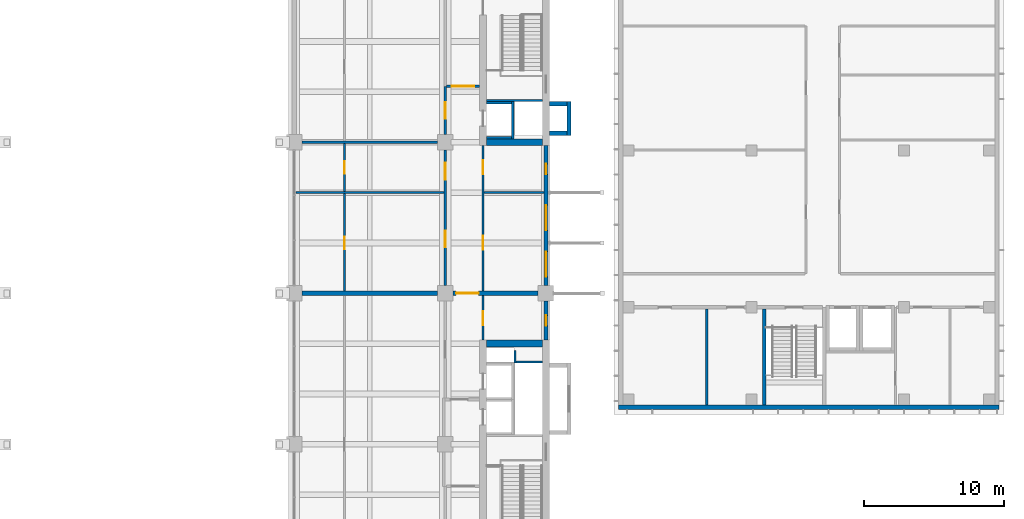
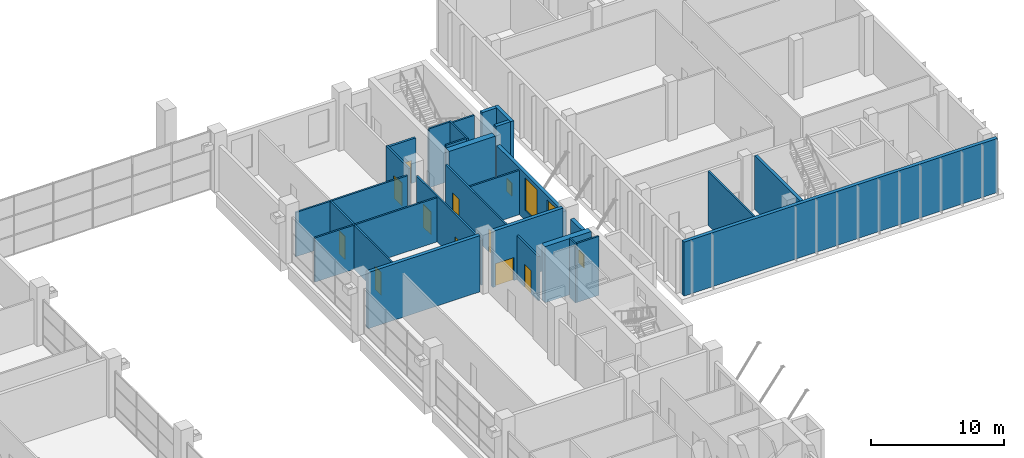
# One storey, part 22 of 38: 28 walls, 10 doors, 4 windows, 14 openings.
"""IFC4 building model written with IfcOpenShell, lengths in metres."""

from ifc_helpers import new_model, si_unit, direction, frame, frame_2d, origin, place, context, subcontext, project, spatial, rectangle, extrude, material, layer, layer_set, type_object, element, fill, save


model = new_model("IFC4")

# Units and contexts
model_context = context("Model", 3, precision=1e-05, world=origin(), true_north=direction((0.0, 1.0)))
body_context = subcontext(model_context, "Body", "Model", "MODEL_VIEW")
ifc_project = project(units=[si_unit("LENGTHUNIT", "METRE"), si_unit("AREAUNIT", "SQUARE_METRE"), si_unit("VOLUMEUNIT", "CUBIC_METRE"), si_unit("PLANEANGLEUNIT", "RADIAN"), si_unit("MASSUNIT", "GRAM", prefix="KILO")], contexts=[model_context])

# Site, building, storey
site_placement = place(None, origin())
site = spatial("IfcSite", under=ifc_project, at=site_placement, CompositionType="ELEMENT")
building_placement = place(site_placement, origin())
building = spatial("IfcBuilding", under=site, at=building_placement, Name="Basin Gate Institute", CompositionType="ELEMENT")
storey_placement = place(building_placement, frame((0.0, 0.0, 16.800048828125)))
storey = spatial("IfcBuildingStorey", under=building, at=storey_placement, Name="L03", CompositionType="ELEMENT", Elevation=16.800048828125)

# Walls
ifc_material_1 = material(Name="Concrete 40 MPa", Category="concrete")
ifc_layer_1 = layer(ifc_material_1, 0.25)
ifc_layer_set_1 = layer_set([ifc_layer_1], Name="Concrete 40 MPa")
wall_type_1 = type_object("IfcWallType", Name="Block enclosure wall W73 REI 120", PredefinedType="SOLIDWALL", material=ifc_layer_set_1)
wall_1_placement = place(storey_placement, frame((134.39990234375, 70.300048828125, 0.0), z_axis=(0.0, 0.0, 1.0), x_axis=(0.0, 1.0, 0.0)))
element("IfcWall", 1, at=wall_1_placement, inside=storey, type_object=wall_type_1, material=ifc_layer_set_1, Name="Stair and lift enclosure wall Cy13440-13 L03", PredefinedType="SOLIDWALL", context=body_context, shape_type="SweptSolid", body=[
    extrude(rectangle(XDim=6.875, YDim=0.25, at=frame_2d((3.4375, 0.0))), origin(), (0.0, 0.0, 1.0), 4.949951171875),
])
ifc_material_2 = material(Name="Insulated sandwich panel, mineral wool core, galvanised sheet faces")
ifc_layer_2 = layer(ifc_material_2, 0.300048828125)
ifc_layer_set_2 = layer_set([ifc_layer_2], Name="Clean block insulated panel wall W80 EI 60")
wall_type_2 = type_object("IfcWallType", Name="Clean block insulated panel wall W80 EI 60", PredefinedType="SOLIDWALL", material=ifc_layer_set_2)
wall_2_placement = place(storey_placement, frame((124.0, 70.14990234375, 0.0), z_axis=(0.0, 0.0, 1.0), x_axis=(1.0, 0.0, 0.0)))
element("IfcWall", 2, at=wall_2_placement, inside=storey, type_object=wall_type_2, material=ifc_layer_set_2, Name="Clean block insulated panel wall south L03", PredefinedType="SOLIDWALL", context=body_context, shape_type="SweptSolid", body=[
    extrude(rectangle(XDim=27.199951171875, YDim=0.300048828125, at=frame_2d((13.60009765625, 0.0))), origin(), (0.0, 0.0, 1.0), 4.949951171875),
])
ifc_material_3 = material(Name="Gypsum board partition on steel studs, 60 minute", Category="steel")
ifc_layer_3 = layer(ifc_material_3, 0.14990234375)
ifc_layer_set_3 = layer_set([ifc_layer_3], Name="Gypsum board partition on steel studs, 60 minute")
wall_type_3 = type_object("IfcWallType", Name="Clean block partition PW72 EI 60", PredefinedType="SOLIDWALL", material=ifc_layer_set_3)
wall_3_placement = place(storey_placement, frame((130.300048828125, 70.300048828125, 0.0), z_axis=(0.0, 0.0, 1.0), x_axis=(0.0, 1.0, 0.0)))
element("IfcWall", 3, at=wall_3_placement, inside=storey, type_object=wall_type_3, material=ifc_layer_set_3, Name="Clean block partition Cy13030-11 L03", PredefinedType="SOLIDWALL", context=body_context, shape_type="SweptSolid", body=[
    extrude(rectangle(XDim=6.875, YDim=0.14990234375, at=frame_2d((3.4375, 0.0))), origin(), (0.0, 0.0, 1.0), 4.949951171875),
])

# Wall, opening, door
ifc_material_4 = material(Name="Fire-rated masonry", Category="masonry")
ifc_layer_4 = layer(ifc_material_4, 0.199951171875)
ifc_layer_set_4 = layer_set([ifc_layer_4], Name="Enclosure wall PW2 200 EI 60")
wall_type_4 = type_object("IfcWallType", Name="Enclosure wall PW2 200 EI 60", PredefinedType="PARTITIONING", material=ifc_layer_set_4)
wall_4_placement = place(storey_placement, frame((114.050048828125, 93.10009765625, 0.0), z_axis=(0.0, 0.0, 1.0), x_axis=(-1.0, 0.0, 0.0)))
wall_4 = element("IfcWall", 4, at=wall_4_placement, inside=storey, type_object=wall_type_4, material=ifc_layer_set_4, Name="Smoke lobby enclosure wall PW2 L03", PredefinedType="PARTITIONING", context=body_context, shape_type="SweptSolid", body=[
    extrude(rectangle(XDim=2.35009765625, YDim=0.199951171875, at=frame_2d((1.175048828125, 0.0))), origin(), (0.0, 0.0, 1.0), 4.050048828125),
])
opening_1_placement = place(wall_4_placement, frame((0.375, 0.0, 0.0)))
opening_1 = element("IfcOpeningElement", 5, at=opening_1_placement, cuts=wall_4, Name="Opening DR173", PredefinedType="OPENING", context=body_context, shape_type="SweptSolid", body=[
    extrude(rectangle(XDim=1.60009765625, YDim=2.10009765625, at=frame_2d((0.800048828125, 1.050048828125))), frame((0.0, 0.10986328125, 0.0), z_axis=(0.0, -1.0, 0.0), x_axis=(1.0, 0.0, 0.0)), (0.0, 0.0, 1.0), 0.219970703125),
])
ifc_material_5 = material(Name="Steel fire door", Category="steel")
door_type_1 = type_object("IfcDoorType", Name="FD60 Smoke lobby door pair D8", OperationType="DOUBLE_DOOR_SINGLE_SWING", PredefinedType="DOOR", material=ifc_material_5)
door_1_placement = place(opening_1_placement, frame((1.60009765625, 0.0, 0.0), z_axis=(0.0, 0.0, 1.0), x_axis=(-1.0, 0.0, 0.0)))
door_1 = element("IfcDoor", 6, at=door_1_placement, inside=storey, type_object=door_type_1, material=ifc_material_5, Name="Smoke lobby door SS6 L03", OperationType="DOUBLE_DOOR_SINGLE_SWING", OverallHeight=2.10009765625, OverallWidth=1.60009765625, PredefinedType="DOOR", context=body_context, shape_type="SweptSolid", body=[
    extrude(rectangle(XDim=1.60009765625, YDim=2.10009765625, at=frame_2d((0.800048828125, 1.050048828125))), frame((0.0, 0.02490234375, 0.0), z_axis=(0.0, -1.0, 0.0), x_axis=(1.0, 0.0, 0.0)), (0.0, 0.0, 1.0), 0.050048828125),
])
fill(opening_1, door_1)

# Wall, opening, window
ifc_material_6 = material(Name="Aluminium-faced insulated panel wall", Category="aluminium")
ifc_layer_5 = layer(ifc_material_6, 0.300048828125)
ifc_layer_set_5 = layer_set([ifc_layer_5], Name="External wall EW1 EI 120")
wall_type_5 = type_object("IfcWallType", Name="External wall EW1 EI 120", PredefinedType="STANDARD", material=ifc_layer_set_5)
wall_5_placement = place(storey_placement, frame((118.800048828125, 74.949951171875, 0.0), z_axis=(0.0, 0.0, 1.0), x_axis=(0.0, 1.0, 0.0)))
wall_5 = element("IfcWall", 7, at=wall_5_placement, inside=storey, type_object=wall_type_5, material=ifc_layer_set_5, Name="External wall E facade L03 3", PredefinedType="STANDARD", context=body_context, shape_type="SweptSolid", body=[
    extrude(rectangle(XDim=2.800048828125, YDim=0.300048828125, at=frame_2d((1.39990234375, 0.0))), origin(), (0.0, 0.0, 1.0), 4.25),
])
opening_2_placement = place(wall_5_placement, frame((1.02490234375, 0.0, 0.800048828125)))
opening_2 = element("IfcOpeningElement", 8, at=opening_2_placement, cuts=wall_5, Name="Opening WN3", PredefinedType="OPENING", context=body_context, shape_type="SweptSolid", body=[
    extrude(rectangle(XDim=0.75, YDim=1.199951171875, at=frame_2d((0.375, 0.60009765625))), frame((0.0, 0.16015625, 0.0), z_axis=(0.0, -1.0, 0.0), x_axis=(1.0, 0.0, 0.0)), (0.0, 0.0, 1.0), 0.320068359375),
])
ifc_material_7 = material(Name="Aluminium-framed double glazing", Category="aluminium")
window_type_1 = type_object("IfcWindowType", Name="Emergency entry panel WN3", PartitioningType="SINGLE_PANEL", PredefinedType="WINDOW", material=ifc_material_7)
window_1_placement = place(opening_2_placement, origin())
window_1 = element("IfcWindow", 9, at=window_1_placement, inside=storey, type_object=window_type_1, material=ifc_material_7, Name="Emergency entry panel E facade L03 bay 12", OverallHeight=1.199951171875, OverallWidth=0.75, PartitioningType="SINGLE_PANEL", PredefinedType="WINDOW", context=body_context, shape_type="SweptSolid", body=[
    extrude(rectangle(XDim=0.75, YDim=1.199951171875, at=frame_2d((0.375, 0.60009765625))), frame((0.0, 0.030029296875, 0.0), z_axis=(0.0, -1.0, 0.0), x_axis=(1.0, 0.0, 0.0)), (0.0, 0.0, 1.0), 0.06005859375),
])
fill(opening_2, window_1)

# Wall, openings, windows
wall_6_placement = place(storey_placement, frame((118.800048828125, 78.85009765625, 0.0), z_axis=(0.0, 0.0, 1.0), x_axis=(0.0, 1.0, 0.0)))
wall_6 = element("IfcWall", 10, at=wall_6_placement, inside=storey, type_object=wall_type_5, material=ifc_layer_set_5, Name="External wall E facade L03 4", PredefinedType="STANDARD", context=body_context, shape_type="SweptSolid", body=[
    extrude(rectangle(XDim=10.0, YDim=0.300048828125, at=frame_2d((5.0, 0.0))), origin(), (0.0, 0.0, 1.0), 4.25),
])
opening_3_placement = place(wall_6_placement, frame((0.625, 0.0, 0.89990234375)))
opening_3 = element("IfcOpeningElement", 11, at=opening_3_placement, cuts=wall_6, Name="Opening WN2", PredefinedType="OPENING", context=body_context, shape_type="SweptSolid", body=[
    extrude(rectangle(XDim=1.800048828125, YDim=3.0, at=frame_2d((0.89990234375, 1.5))), frame((0.0, 0.16015625, 0.0), z_axis=(0.0, -1.0, 0.0), x_axis=(1.0, 0.0, 0.0)), (0.0, 0.0, 1.0), 0.320068359375),
])
opening_4_placement = place(wall_6_placement, frame((3.949951171875, 0.0, 0.89990234375)))
opening_4 = element("IfcOpeningElement", 12, at=opening_4_placement, cuts=wall_6, Name="Opening WN2", PredefinedType="OPENING", context=body_context, shape_type="SweptSolid", body=[
    extrude(rectangle(XDim=1.800048828125, YDim=3.0, at=frame_2d((0.89990234375, 1.5))), frame((0.0, 0.16015625, 0.0), z_axis=(0.0, -1.0, 0.0), x_axis=(1.0, 0.0, 0.0)), (0.0, 0.0, 1.0), 0.320068359375),
])
opening_5_placement = place(wall_6_placement, frame((7.949951171875, 0.0, 0.800048828125)))
opening_5 = element("IfcOpeningElement", 13, at=opening_5_placement, cuts=wall_6, Name="Opening WN3", PredefinedType="OPENING", context=body_context, shape_type="SweptSolid", body=[
    extrude(rectangle(XDim=0.75, YDim=1.199951171875, at=frame_2d((0.375, 0.60009765625))), frame((0.0, 0.16015625, 0.0), z_axis=(0.0, -1.0, 0.0), x_axis=(1.0, 0.0, 0.0)), (0.0, 0.0, 1.0), 0.320068359375),
])
window_2_placement = place(opening_5_placement, origin())
window_2 = element("IfcWindow", 14, at=window_2_placement, inside=storey, type_object=window_type_1, material=ifc_material_7, Name="Emergency entry panel E facade L03 bay 15", OverallHeight=1.199951171875, OverallWidth=0.75, PartitioningType="SINGLE_PANEL", PredefinedType="WINDOW", context=body_context, shape_type="SweptSolid", body=[
    extrude(rectangle(XDim=0.75, YDim=1.199951171875, at=frame_2d((0.375, 0.60009765625))), frame((0.0, 0.030029296875, 0.0), z_axis=(0.0, -1.0, 0.0), x_axis=(1.0, 0.0, 0.0)), (0.0, 0.0, 1.0), 0.06005859375),
])
fill(opening_5, window_2)
ifc_material_8 = material(Name="Aluminium-framed double glazing", Category="aluminium")
window_type_2 = type_object("IfcWindowType", Name="Podium window WN2", PartitioningType="SINGLE_PANEL", PredefinedType="WINDOW", material=ifc_material_8)
window_3_placement = place(opening_3_placement, origin())
window_3 = element("IfcWindow", 15, at=window_3_placement, inside=storey, type_object=window_type_2, material=ifc_material_8, Name="Podium window E facade L03 bay 13", OverallHeight=3.0, OverallWidth=1.800048828125, PartitioningType="SINGLE_PANEL", PredefinedType="WINDOW", context=body_context, shape_type="SweptSolid", body=[
    extrude(rectangle(XDim=1.800048828125, YDim=3.0, at=frame_2d((0.89990234375, 1.5))), frame((0.0, 0.030029296875, 0.0), z_axis=(0.0, -1.0, 0.0), x_axis=(1.0, 0.0, 0.0)), (0.0, 0.0, 1.0), 0.06005859375),
])
fill(opening_3, window_3)
window_4_placement = place(opening_4_placement, origin())
window_4 = element("IfcWindow", 16, at=window_4_placement, inside=storey, type_object=window_type_2, material=ifc_material_8, Name="Podium window E facade L03 bay 14", OverallHeight=3.0, OverallWidth=1.800048828125, PartitioningType="SINGLE_PANEL", PredefinedType="WINDOW", context=body_context, shape_type="SweptSolid", body=[
    extrude(rectangle(XDim=1.800048828125, YDim=3.0, at=frame_2d((0.89990234375, 1.5))), frame((0.0, 0.030029296875, 0.0), z_axis=(0.0, -1.0, 0.0), x_axis=(1.0, 0.0, 0.0)), (0.0, 0.0, 1.0), 0.06005859375),
])
fill(opening_4, window_4)

# Wall, opening, door
ifc_material_9 = material(Name="Gypsum board on steel stud", Category="steel")
ifc_layer_6 = layer(ifc_material_9, 0.14990234375)
ifc_layer_set_6 = layer_set([ifc_layer_6], Name="Gypsum board on steel stud")
wall_type_6 = type_object("IfcWallType", Name="Partition PW1 150 EI 60", PredefinedType="PARTITIONING", material=ifc_layer_set_6)
wall_7_placement = place(storey_placement, frame((114.300048828125, 74.949951171875, 0.0), z_axis=(0.0, 0.0, 1.0), x_axis=(0.0, 1.0, 0.0)))
wall_7 = element("IfcWall", 17, at=wall_7_placement, inside=storey, type_object=wall_type_6, material=ifc_layer_set_6, Name="Corridor wall PW1 L03", PredefinedType="PARTITIONING", context=body_context, shape_type="SweptSolid", body=[
    extrude(rectangle(XDim=3.199951171875, YDim=0.14990234375, at=frame_2d((1.60009765625, 0.0))), origin(), (0.0, 0.0, 1.0), 4.050048828125),
])
opening_6_placement = place(wall_7_placement, frame((1.050048828125, 0.0, 0.0)))
opening_6 = element("IfcOpeningElement", 18, at=opening_6_placement, cuts=wall_7, Name="Opening DR160", PredefinedType="OPENING", context=body_context, shape_type="SweptSolid", body=[
    extrude(rectangle(XDim=1.0, YDim=2.10009765625, at=frame_2d((0.5, 1.050048828125))), frame((0.0, 0.0849609375, 0.0), z_axis=(0.0, -1.0, 0.0), x_axis=(1.0, 0.0, 0.0)), (0.0, 0.0, 1.0), 0.169921875),
])
ifc_material_10 = material(Name="Timber fire door", Category="wood")
door_type_2 = type_object("IfcDoorType", Name="FD30 Office door D1", OperationType="NOTDEFINED", PredefinedType="DOOR", material=ifc_material_10)
door_2_placement = place(opening_6_placement, frame((1.0, 0.0, 0.0), z_axis=(0.0, 0.0, 1.0), x_axis=(-1.0, 0.0, 0.0)))
door_2 = element("IfcDoor", 19, at=door_2_placement, inside=storey, type_object=door_type_2, material=ifc_material_10, Name="Door to Mechanical Plant Room 0355 L03", OperationType="SINGLE_SWING_RIGHT", OverallHeight=2.10009765625, OverallWidth=1.0, PredefinedType="DOOR", context=body_context, shape_type="SweptSolid", body=[
    extrude(rectangle(XDim=1.0, YDim=2.10009765625, at=frame_2d((0.5, 1.050048828125))), frame((0.0, 0.02490234375, 0.0), z_axis=(0.0, -1.0, 0.0), x_axis=(1.0, 0.0, 0.0)), (0.0, 0.0, 1.0), 0.050048828125),
])
fill(opening_6, door_2)

# Wall, openings, doors
wall_8_placement = place(storey_placement, frame((114.300048828125, 78.449951171875, 0.0), z_axis=(0.0, 0.0, 1.0), x_axis=(0.0, 1.0, 0.0)))
wall_8 = element("IfcWall", 20, at=wall_8_placement, inside=storey, type_object=wall_type_6, material=ifc_layer_set_6, Name="Corridor wall PW1 L03", PredefinedType="PARTITIONING", context=body_context, shape_type="SweptSolid", body=[
    extrude(rectangle(XDim=10.400146484375, YDim=0.14990234375, at=frame_2d((5.2001953125, 0.0))), origin(), (0.0, 0.0, 1.0), 4.050048828125),
])
opening_7_placement = place(wall_8_placement, frame((8.35009765625, 0.0, 0.0)))
opening_7 = element("IfcOpeningElement", 21, at=opening_7_placement, cuts=wall_8, Name="Opening DR156", PredefinedType="OPENING", context=body_context, shape_type="SweptSolid", body=[
    extrude(rectangle(XDim=1.0, YDim=2.10009765625, at=frame_2d((0.5, 1.050048828125))), frame((0.0, 0.0849609375, 0.0), z_axis=(0.0, -1.0, 0.0), x_axis=(1.0, 0.0, 0.0)), (0.0, 0.0, 1.0), 0.169921875),
])
opening_8_placement = place(wall_8_placement, frame((2.949951171875, 0.0, 0.0)))
opening_8 = element("IfcOpeningElement", 22, at=opening_8_placement, cuts=wall_8, Name="Opening DR161", PredefinedType="OPENING", context=body_context, shape_type="SweptSolid", body=[
    extrude(rectangle(XDim=1.0, YDim=2.10009765625, at=frame_2d((0.5, 1.050048828125))), frame((0.0, 0.0849609375, 0.0), z_axis=(0.0, -1.0, 0.0), x_axis=(1.0, 0.0, 0.0)), (0.0, 0.0, 1.0), 0.169921875),
])
door_3_placement = place(opening_8_placement, frame((1.0, 0.0, 0.0), z_axis=(0.0, 0.0, 1.0), x_axis=(-1.0, 0.0, 0.0)))
door_3 = element("IfcDoor", 23, at=door_3_placement, inside=storey, type_object=door_type_2, material=ifc_material_10, Name="Door to Mechanical Plant Room 0356 L03", OperationType="SINGLE_SWING_RIGHT", OverallHeight=2.10009765625, OverallWidth=1.0, PredefinedType="DOOR", context=body_context, shape_type="SweptSolid", body=[
    extrude(rectangle(XDim=1.0, YDim=2.10009765625, at=frame_2d((0.5, 1.050048828125))), frame((0.0, 0.02490234375, 0.0), z_axis=(0.0, -1.0, 0.0), x_axis=(1.0, 0.0, 0.0)), (0.0, 0.0, 1.0), 0.050048828125),
])
fill(opening_8, door_3)
ifc_material_11 = material(Name="Timber fire door", Category="wood")
door_type_3 = type_object("IfcDoorType", Name="FD30 Toilet door D3", OperationType="NOTDEFINED", PredefinedType="DOOR", material=ifc_material_11)
door_4_placement = place(opening_7_placement, frame((1.0, 0.0, 0.0), z_axis=(0.0, 0.0, 1.0), x_axis=(-1.0, 0.0, 0.0)))
door_4 = element("IfcDoor", 24, at=door_4_placement, inside=storey, type_object=door_type_3, material=ifc_material_11, Name="Door to Female WC L03", OperationType="SINGLE_SWING_LEFT", OverallHeight=2.10009765625, OverallWidth=1.0, PredefinedType="DOOR", context=body_context, shape_type="SweptSolid", body=[
    extrude(rectangle(XDim=1.0, YDim=2.10009765625, at=frame_2d((0.5, 1.050048828125))), frame((0.0, 0.02490234375, 0.0), z_axis=(0.0, -1.0, 0.0), x_axis=(1.0, 0.0, 0.0)), (0.0, 0.0, 1.0), 0.050048828125),
])
fill(opening_7, door_4)

wall_9_placement = place(storey_placement, frame((111.60009765625, 78.85009765625, 0.0), z_axis=(0.0, 0.0, 1.0), x_axis=(0.0, 1.0, 0.0)))
wall_9 = element("IfcWall", 25, at=wall_9_placement, inside=storey, type_object=wall_type_6, material=ifc_layer_set_6, Name="Laboratory corridor wall PW1 L03", PredefinedType="PARTITIONING", context=body_context, shape_type="SweptSolid", body=[
    extrude(rectangle(XDim=9.699951171875, YDim=0.14990234375, at=frame_2d((4.85009765625, 0.0))), origin(), (0.0, 0.0, 1.0), 4.14990234375),
])
opening_9_placement = place(wall_9_placement, frame((2.72509765625, 0.0, 0.0)))
opening_9 = element("IfcOpeningElement", 26, at=opening_9_placement, cuts=wall_9, Name="Opening DR149", PredefinedType="OPENING", context=body_context, shape_type="SweptSolid", body=[
    extrude(rectangle(XDim=1.199951171875, YDim=2.10009765625, at=frame_2d((0.60009765625, 1.050048828125))), frame((0.0, 0.0849609375, 0.0), z_axis=(0.0, -1.0, 0.0), x_axis=(1.0, 0.0, 0.0)), (0.0, 0.0, 1.0), 0.169921875),
])
opening_10_placement = place(wall_9_placement, frame((7.574951171875, 0.0, 0.0)))
opening_10 = element("IfcOpeningElement", 27, at=opening_10_placement, cuts=wall_9, Name="Opening DR155", PredefinedType="OPENING", context=body_context, shape_type="SweptSolid", body=[
    extrude(rectangle(XDim=1.199951171875, YDim=2.10009765625, at=frame_2d((0.60009765625, 1.050048828125))), frame((0.0, 0.0849609375, 0.0), z_axis=(0.0, -1.0, 0.0), x_axis=(1.0, 0.0, 0.0)), (0.0, 0.0, 1.0), 0.169921875),
])
ifc_material_12 = material(Name="Timber fire door", Category="wood")
door_type_4 = type_object("IfcDoorType", Name="FD30 Laboratory door D2", OperationType="DOUBLE_DOOR_SINGLE_SWING", PredefinedType="DOOR", material=ifc_material_12)
door_5_placement = place(opening_9_placement, origin())
door_5 = element("IfcDoor", 28, at=door_5_placement, inside=storey, type_object=door_type_4, material=ifc_material_12, Name="Door to Air Handling Plant Room 0374 L03", OperationType="DOUBLE_DOOR_SINGLE_SWING", OverallHeight=2.10009765625, OverallWidth=1.199951171875, PredefinedType="DOOR", context=body_context, shape_type="SweptSolid", body=[
    extrude(rectangle(XDim=1.199951171875, YDim=2.10009765625, at=frame_2d((0.60009765625, 1.050048828125))), frame((0.0, 0.02490234375, 0.0), z_axis=(0.0, -1.0, 0.0), x_axis=(1.0, 0.0, 0.0)), (0.0, 0.0, 1.0), 0.050048828125),
])
fill(opening_9, door_5)
door_6_placement = place(opening_10_placement, origin())
door_6 = element("IfcDoor", 29, at=door_6_placement, inside=storey, type_object=door_type_4, material=ifc_material_12, Name="Door to Exhaust Fan Room 0376 L03", OperationType="DOUBLE_DOOR_SINGLE_SWING", OverallHeight=2.10009765625, OverallWidth=1.199951171875, PredefinedType="DOOR", context=body_context, shape_type="SweptSolid", body=[
    extrude(rectangle(XDim=1.199951171875, YDim=2.10009765625, at=frame_2d((0.60009765625, 1.050048828125))), frame((0.0, 0.02490234375, 0.0), z_axis=(0.0, -1.0, 0.0), x_axis=(1.0, 0.0, 0.0)), (0.0, 0.0, 1.0), 0.050048828125),
])
fill(opening_10, door_6)

# Wall, opening, door
wall_10_placement = place(storey_placement, frame((111.60009765625, 89.64990234375, 0.0), z_axis=(0.0, 0.0, 1.0), x_axis=(0.0, 1.0, 0.0)))
wall_10 = element("IfcWall", 30, at=wall_10_placement, inside=storey, type_object=wall_type_6, material=ifc_layer_set_6, Name="Laboratory corridor wall PW1 L03", PredefinedType="PARTITIONING", context=body_context, shape_type="SweptSolid", body=[
    extrude(rectangle(XDim=3.4501953125, YDim=0.14990234375, at=frame_2d((1.72509765625, 0.0))), origin(), (0.0, 0.0, 1.0), 4.14990234375),
])
opening_11_placement = place(wall_10_placement, frame((1.125, 0.0, 0.0)))
opening_11 = element("IfcOpeningElement", 31, at=opening_11_placement, cuts=wall_10, Name="Opening DR150", PredefinedType="OPENING", context=body_context, shape_type="SweptSolid", body=[
    extrude(rectangle(XDim=1.199951171875, YDim=2.10009765625, at=frame_2d((0.60009765625, 1.050048828125))), frame((0.0, 0.0849609375, 0.0), z_axis=(0.0, -1.0, 0.0), x_axis=(1.0, 0.0, 0.0)), (0.0, 0.0, 1.0), 0.169921875),
])
door_7_placement = place(opening_11_placement, origin())
door_7 = element("IfcDoor", 32, at=door_7_placement, inside=storey, type_object=door_type_4, material=ifc_material_12, Name="Door to Air Handling Plant Room 0378 L03", OperationType="DOUBLE_DOOR_SINGLE_SWING", OverallHeight=2.10009765625, OverallWidth=1.199951171875, PredefinedType="DOOR", context=body_context, shape_type="SweptSolid", body=[
    extrude(rectangle(XDim=1.199951171875, YDim=2.10009765625, at=frame_2d((0.60009765625, 1.050048828125))), frame((0.0, 0.02490234375, 0.0), z_axis=(0.0, -1.0, 0.0), x_axis=(1.0, 0.0, 0.0)), (0.0, 0.0, 1.0), 0.050048828125),
])
fill(opening_11, door_7)

wall_11_placement = place(storey_placement, frame((104.39990234375, 78.449951171875, 0.0), z_axis=(0.0, 0.0, 1.0), x_axis=(0.0, 1.0, 0.0)))
wall_11 = element("IfcWall", 33, at=wall_11_placement, inside=storey, type_object=wall_type_6, material=ifc_layer_set_6, Name="Laboratory partition PW1 L03", PredefinedType="PARTITIONING", context=body_context, shape_type="SweptSolid", body=[
    extrude(rectangle(XDim=6.97509765625, YDim=0.14990234375, at=frame_2d((3.487548828125, 0.0))), origin(), (0.0, 0.0, 1.0), 4.050048828125),
])
opening_12_placement = place(wall_11_placement, frame((3.0, 0.0, 0.0)))
opening_12 = element("IfcOpeningElement", 34, at=opening_12_placement, cuts=wall_11, Name="Opening DR165", PredefinedType="OPENING", context=body_context, shape_type="SweptSolid", body=[
    extrude(rectangle(XDim=0.89990234375, YDim=2.10009765625, at=frame_2d((0.449951171875, 1.050048828125))), frame((0.0, 0.0849609375, 0.0), z_axis=(0.0, -1.0, 0.0), x_axis=(1.0, 0.0, 0.0)), (0.0, 0.0, 1.0), 0.169921875),
])
ifc_material_13 = material(Name="Steel fire door", Category="steel")
door_type_5 = type_object("IfcDoorType", Name="FD60 Riser door D10", OperationType="NOTDEFINED", PredefinedType="DOOR", material=ifc_material_13)
door_8_placement = place(opening_12_placement, frame((0.89990234375, 0.0, 0.0), z_axis=(0.0, 0.0, 1.0), x_axis=(-1.0, 0.0, 0.0)))
door_8 = element("IfcDoor", 35, at=door_8_placement, inside=storey, type_object=door_type_5, material=ifc_material_13, Name="Door to Riser Room 0375 L03", OperationType="SINGLE_SWING_RIGHT", OverallHeight=2.10009765625, OverallWidth=0.89990234375, PredefinedType="DOOR", context=body_context, shape_type="SweptSolid", body=[
    extrude(rectangle(XDim=0.89990234375, YDim=2.10009765625, at=frame_2d((0.449951171875, 1.050048828125))), frame((0.0, 0.02490234375, 0.0), z_axis=(0.0, -1.0, 0.0), x_axis=(1.0, 0.0, 0.0)), (0.0, 0.0, 1.0), 0.050048828125),
])
fill(opening_12, door_8)

wall_12_placement = place(storey_placement, frame((104.39990234375, 85.574951171875, 0.0), z_axis=(0.0, 0.0, 1.0), x_axis=(0.0, 1.0, 0.0)))
wall_12 = element("IfcWall", 36, at=wall_12_placement, inside=storey, type_object=wall_type_6, material=ifc_layer_set_6, Name="Laboratory partition PW1 L03", PredefinedType="PARTITIONING", context=body_context, shape_type="SweptSolid", body=[
    extrude(rectangle(XDim=3.449951171875, YDim=0.14990234375, at=frame_2d((1.72509765625, 0.0))), origin(), (0.0, 0.0, 1.0), 4.050048828125),
])
opening_13_placement = place(wall_12_placement, frame((1.27490234375, 0.0, 0.0)))
opening_13 = element("IfcOpeningElement", 37, at=opening_13_placement, cuts=wall_12, Name="Opening DR166", PredefinedType="OPENING", context=body_context, shape_type="SweptSolid", body=[
    extrude(rectangle(XDim=0.89990234375, YDim=2.10009765625, at=frame_2d((0.449951171875, 1.050048828125))), frame((0.0, 0.0849609375, 0.0), z_axis=(0.0, -1.0, 0.0), x_axis=(1.0, 0.0, 0.0)), (0.0, 0.0, 1.0), 0.169921875),
])
door_9_placement = place(opening_13_placement, origin())
door_9 = element("IfcDoor", 38, at=door_9_placement, inside=storey, type_object=door_type_5, material=ifc_material_13, Name="Door to Riser Room 0377 L03", OperationType="SINGLE_SWING_RIGHT", OverallHeight=2.10009765625, OverallWidth=0.89990234375, PredefinedType="DOOR", context=body_context, shape_type="SweptSolid", body=[
    extrude(rectangle(XDim=0.89990234375, YDim=2.10009765625, at=frame_2d((0.449951171875, 1.050048828125))), frame((0.0, 0.02490234375, 0.0), z_axis=(0.0, -1.0, 0.0), x_axis=(1.0, 0.0, 0.0)), (0.0, 0.0, 1.0), 0.050048828125),
])
fill(opening_13, door_9)

# Walls
wall_13_placement = place(storey_placement, frame((111.52490234375, 85.5, 0.0), z_axis=(0.0, 0.0, 1.0), x_axis=(-1.0, 0.0, 0.0)))
element("IfcWall", 39, at=wall_13_placement, inside=storey, type_object=wall_type_6, material=ifc_layer_set_6, Name="Laboratory partition PW1 L03", PredefinedType="PARTITIONING", context=body_context, shape_type="SweptSolid", body=[
    extrude(rectangle(XDim=10.574951171875, YDim=0.14990234375, at=frame_2d((5.28759765625, 0.0))), origin(), (0.0, 0.0, 1.0), 4.050048828125),
])
wall_14_placement = place(storey_placement, frame((111.050048828125, 89.10009765625, 0.0), z_axis=(0.0, 0.0, 1.0), x_axis=(-1.0, 0.0, 0.0)))
element("IfcWall", 40, at=wall_14_placement, inside=storey, type_object=wall_type_6, material=ifc_layer_set_6, Name="Laboratory partition PW1 L03", PredefinedType="PARTITIONING", context=body_context, shape_type="SweptSolid", body=[
    extrude(rectangle(XDim=9.699951171875, YDim=0.14990234375, at=frame_2d((4.85009765625, 0.0))), origin(), (0.0, 0.0, 1.0), 4.050048828125),
])
ifc_material_14 = material(Name="Gypsum board on steel stud", Category="steel")
ifc_layer_7 = layer(ifc_material_14, 0.14990234375)
ifc_layer_set_7 = layer_set([ifc_layer_7], Name="Gypsum board on steel stud")
wall_type_7 = type_object("IfcWallType", Name="Partition PW4 150", PredefinedType="PARTITIONING", material=ifc_layer_set_7)
wall_15_placement = place(storey_placement, frame((118.64990234375, 85.5, 0.0), z_axis=(0.0, 0.0, 1.0), x_axis=(-1.0, 0.0, 0.0)))
element("IfcWall", 41, at=wall_15_placement, inside=storey, type_object=wall_type_7, material=ifc_layer_set_7, Name="Toilet partition PW4 L03", PredefinedType="PARTITIONING", context=body_context, shape_type="SweptSolid", body=[
    extrude(rectangle(XDim=4.27490234375, YDim=0.14990234375, at=frame_2d((2.137451171875, 0.0))), origin(), (0.0, 0.0, 1.0), 4.050048828125),
])
ifc_material_15 = material(Name="Concrete 40 MPa", Category="concrete")
ifc_layer_8 = layer(ifc_material_15, 0.14990234375)
ifc_layer_set_8 = layer_set([ifc_layer_8], Name="Concrete 40 MPa")
wall_type_8 = type_object("IfcWallType", Name="Wall LS1 lift shaft enclosure R180", PredefinedType="SOLIDWALL", material=ifc_layer_set_8)
wall_16_placement = place(storey_placement, frame((116.425048828125, 92.0, 0.0), z_axis=(0.0, 0.0, 1.0), x_axis=(0.0, -1.0, 0.0)))
element("IfcWall", 42, at=wall_16_placement, inside=storey, type_object=wall_type_8, material=ifc_layer_set_8, Name="Lift shaft enclosure LP6 L03 UL", PredefinedType="SOLIDWALL", context=body_context, shape_type="SweptSolid", body=[
    extrude(rectangle(XDim=2.64990234375, YDim=0.14990234375, at=frame_2d((1.324951171875, 0.0))), origin(), (0.0, 0.0, 1.0), 5.39990234375),
])
for number, where, z_axis, x_axis, name in (
    (43, (116.35009765625, 91.925048828125, 0.0), (0.0, 0.0, 1.0), (-1.0, 0.0, 0.0), "Lift shaft enclosure LP6 L03 RL"),
    (44, (116.35009765625, 89.425048828125, 0.0), (0.0, 0.0, 1.0), (-1.0, 0.0, 0.0), "Lift shaft enclosure LP6 L03 RH"),
):
    element("IfcWall", number, at=place(storey_placement, frame(where, z_axis=z_axis, x_axis=x_axis)), inside=storey, type_object=wall_type_8, material=ifc_layer_set_8, Name=name, PredefinedType="SOLIDWALL", context=body_context, shape_type="SweptSolid", body=[
        extrude(rectangle(XDim=1.800048828125, YDim=0.14990234375, at=frame_2d((0.89990234375, 0.0))), origin(), (0.0, 0.0, 1.0), 5.39990234375),
    ])
ifc_material_16 = material(Name="Concrete 40 MPa", Category="concrete")
ifc_layer_9 = layer(ifc_material_16, 0.14990234375)
ifc_layer_set_9 = layer_set([ifc_layer_9], Name="Concrete 40 MPa")
wall_type_9 = type_object("IfcWallType", Name="Wall RS1 riser shaft enclosure R180", PredefinedType="SOLIDWALL", material=ifc_layer_set_9)
wall_17_placement = place(storey_placement, frame((118.550048828125, 73.375, 0.0), z_axis=(0.0, 0.0, 1.0), x_axis=(-1.0, 0.0, 0.0)))
element("IfcWall", 45, at=wall_17_placement, inside=storey, type_object=wall_type_9, material=ifc_layer_set_9, Name="Riser shaft enclosure EM L03 N", PredefinedType="SOLIDWALL", context=body_context, shape_type="SweptSolid", body=[
    extrude(rectangle(XDim=1.900146484375, YDim=0.14990234375, at=frame_2d((0.9501953125, 0.0))), origin(), (0.0, 0.0, 1.0), 5.39990234375),
])
wall_18_placement = place(storey_placement, frame((116.574951171875, 73.300048828125, 0.0), z_axis=(0.0, 0.0, 1.0), x_axis=(0.0, 1.0, 0.0)))
element("IfcWall", 46, at=wall_18_placement, inside=storey, type_object=wall_type_9, material=ifc_layer_set_9, Name="Riser shaft enclosure EM L03 W", PredefinedType="SOLIDWALL", context=body_context, shape_type="SweptSolid", body=[
    extrude(rectangle(XDim=0.89990234375, YDim=0.14990234375, at=frame_2d((0.449951171875, 0.0))), origin(), (0.0, 0.0, 1.0), 5.39990234375),
])
ifc_material_17 = material(Name="Concrete 40 MPa", Category="concrete")
ifc_layer_10 = layer(ifc_material_17, 0.14990234375)
ifc_layer_set_10 = layer_set([ifc_layer_10], Name="Concrete 40 MPa")
wall_type_10 = type_object("IfcWallType", Name="Wall SE1 stair enclosure R180", PredefinedType="SOLIDWALL", material=ifc_layer_set_10)
wall_19_placement = place(storey_placement, frame((118.550048828125, 92.074951171875, 0.0), z_axis=(0.0, 0.0, 1.0), x_axis=(-1.0, 0.0, 0.0)))
element("IfcWall", 47, at=wall_19_placement, inside=storey, type_object=wall_type_10, material=ifc_layer_set_10, Name="Stair enclosure wall ST-EN L03", PredefinedType="SOLIDWALL", context=body_context, shape_type="SweptSolid", body=[
    extrude(rectangle(XDim=4.0, YDim=0.14990234375, at=frame_2d((2.0, 0.0))), origin(), (0.0, 0.0, 1.0), 5.14990234375),
])
ifc_material_18 = material(Name="Concrete 50 MPa", Category="concrete")
ifc_layer_11 = layer(ifc_material_18, 0.300048828125)
ifc_layer_set_11 = layer_set([ifc_layer_11], Name="Concrete 50 MPa")
wall_type_11 = type_object("IfcWallType", Name="Wall SK1 R180", PredefinedType="SHEAR", material=ifc_layer_set_11)
wall_20_placement = place(storey_placement, frame((120.449951171875, 89.60009765625, 0.0), z_axis=(0.0, 0.0, 1.0), x_axis=(0.0, 1.0, 0.0)))
element("IfcWall", 48, at=wall_20_placement, inside=storey, type_object=wall_type_11, material=ifc_layer_set_11, Name="Spine riser stack wall SK1 EN F L03", PredefinedType="SHEAR", context=body_context, shape_type="SweptSolid", body=[
    extrude(rectangle(XDim=2.39990234375, YDim=0.300048828125, at=frame_2d((1.199951171875, 0.0))), origin(), (0.0, 0.0, 1.0), 5.39990234375),
])
for number, where, z_axis, x_axis, name in (
    (49, (119.050048828125, 89.75, 0.0), (0.0, 0.0, 1.0), (1.0, 0.0, 0.0), "Spine riser stack wall SK1 EN A L03"),
    (50, (119.050048828125, 91.85009765625, 0.0), (0.0, 0.0, 1.0), (1.0, 0.0, 0.0), "Spine riser stack wall SK1 EN B L03"),
):
    element("IfcWall", number, at=place(storey_placement, frame(where, z_axis=z_axis, x_axis=x_axis)), inside=storey, type_object=wall_type_11, material=ifc_layer_set_11, Name=name, PredefinedType="SHEAR", context=body_context, shape_type="SweptSolid", body=[
        extrude(rectangle(XDim=1.25, YDim=0.300048828125, at=frame_2d((0.625, 0.0))), origin(), (0.0, 0.0, 1.0), 5.39990234375),
    ])
ifc_material_19 = material(Name="Concrete 60 MPa", Category="concrete")
ifc_layer_12 = layer(ifc_material_19, 0.5)
ifc_layer_set_12 = layer_set([ifc_layer_12], Name="Concrete 60 MPa")
wall_type_12 = type_object("IfcWallType", Name="Wall SW1 R180", PredefinedType="SHEAR", material=ifc_layer_set_12)
for number, where, z_axis, x_axis, name in (
    (51, (118.550048828125, 74.699951171875, 0.0), (0.0, 0.0, 1.0), (-1.0, 0.0, 0.0), "WALL/L03/EM/N"),
    (52, (118.550048828125, 89.10009765625, 0.0), (0.0, 0.0, 1.0), (-1.0, 0.0, 0.0), "WALL/L03/EN/S"),
):
    element("IfcWall", number, at=place(storey_placement, frame(where, z_axis=z_axis, x_axis=x_axis)), inside=storey, type_object=wall_type_12, material=ifc_layer_set_12, Name=name, PredefinedType="SHEAR", context=body_context, shape_type="SweptSolid", body=[
        extrude(rectangle(XDim=4.0, YDim=0.5, at=frame_2d((2.0, 0.0))), origin(), (0.0, 0.0, 1.0), 5.14990234375),
    ])

# Wall, opening, door
ifc_material_20 = material(Name="Concrete 50 MPa", Category="concrete")
ifc_layer_13 = layer(ifc_material_20, 0.300048828125)
ifc_layer_set_13 = layer_set([ifc_layer_13], Name="Concrete 50 MPa")
wall_type_13 = type_object("IfcWallType", Name="Wall XW1 R180", PredefinedType="SHEAR", material=ifc_layer_set_13)
wall_21_placement = place(storey_placement, frame((118.25, 78.300048828125, 0.0), z_axis=(0.0, 0.0, 1.0), x_axis=(-1.0, 0.0, 0.0)))
wall_21 = element("IfcWall", 53, at=wall_21_placement, inside=storey, type_object=wall_type_13, material=ifc_layer_set_13, Name="WALL/L03/EXE/1", PredefinedType="SHEAR", context=body_context, shape_type="SweptSolid", body=[
    extrude(rectangle(XDim=6.10009765625, YDim=0.300048828125, at=frame_2d((3.050048828125, 0.0))), origin(), (0.0, 0.0, 1.0), 5.14990234375),
])
opening_14_placement = place(wall_21_placement, frame((4.262451171875, 0.0, 0.0)))
opening_14 = element("IfcOpeningElement", 54, at=opening_14_placement, cuts=wall_21, Name="Opening DR175", PredefinedType="OPENING", context=body_context, shape_type="SweptSolid", body=[
    extrude(rectangle(XDim=1.60009765625, YDim=2.10009765625, at=frame_2d((0.800048828125, 1.050048828125))), frame((0.0, 0.16015625, 0.0), z_axis=(0.0, -1.0, 0.0), x_axis=(1.0, 0.0, 0.0)), (0.0, 0.0, 1.0), 0.320068359375),
])
ifc_material_21 = material(Name="Steel fire door", Category="steel")
door_type_6 = type_object("IfcDoorType", Name="FD60 Compartment door pair D7", OperationType="DOUBLE_DOOR_SINGLE_SWING", PredefinedType="DOOR", material=ifc_material_21)
door_10_placement = place(opening_14_placement, origin())
door_10 = element("IfcDoor", 55, at=door_10_placement, inside=storey, type_object=door_type_6, material=ifc_material_21, Name="Compartment door pair L03 E2 L03", OperationType="DOUBLE_DOOR_SINGLE_SWING", OverallHeight=2.10009765625, OverallWidth=1.60009765625, PredefinedType="DOOR", context=body_context, shape_type="SweptSolid", body=[
    extrude(rectangle(XDim=1.60009765625, YDim=2.10009765625, at=frame_2d((0.800048828125, 1.050048828125))), frame((0.0, 0.02490234375, 0.0), z_axis=(0.0, -1.0, 0.0), x_axis=(1.0, 0.0, 0.0)), (0.0, 0.0, 1.0), 0.050048828125),
])
fill(opening_14, door_10)

# Wall
wall_22_placement = place(storey_placement, frame((111.050048828125, 78.300048828125, 0.0), z_axis=(0.0, 0.0, 1.0), x_axis=(-1.0, 0.0, 0.0)))
element("IfcWall", 56, at=wall_22_placement, inside=storey, type_object=wall_type_13, material=ifc_layer_set_13, Name="WALL/L03/EXE/2", PredefinedType="SHEAR", context=body_context, shape_type="SweptSolid", body=[
    extrude(rectangle(XDim=9.699951171875, YDim=0.300048828125, at=frame_2d((4.85009765625, 0.0))), origin(), (0.0, 0.0, 1.0), 5.14990234375),
])

save(model, "model.ifc")
